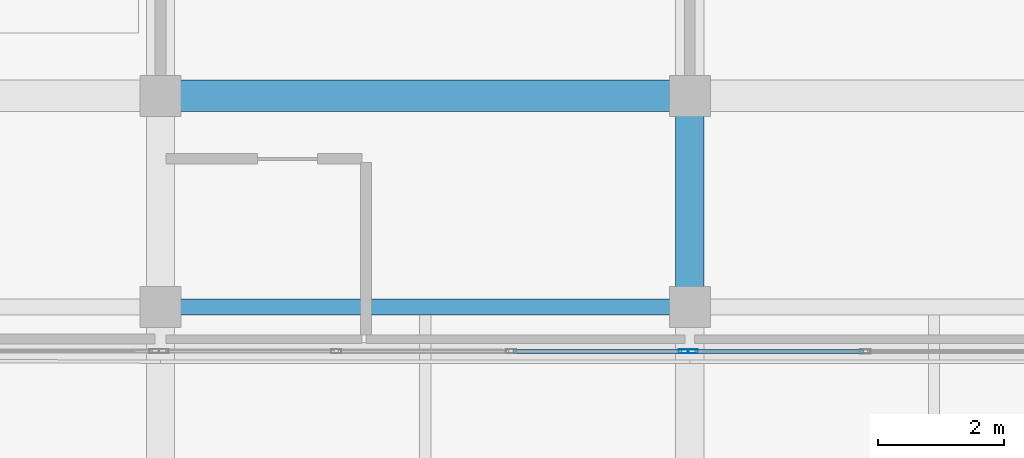
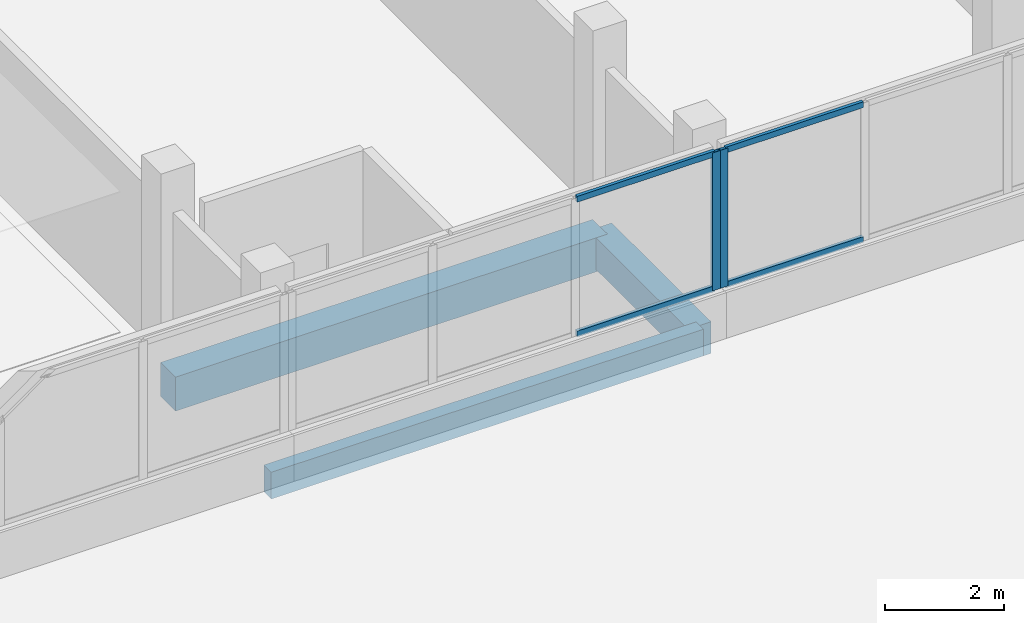
# One storey, part 21 of 78: 6 members, 3 beams, 2 elements without a shape of their own.
"""IFC4 building model written with IfcOpenShell, lengths in metres."""

from ifc_helpers import new_model, si_unit, direction, frame, origin, origin_2d, place, context, subcontext, project, spatial, rectangle, hollow_rectangle, extrude, material, material_profile, profile_set, type_object, element, aggregate, save


model = new_model("IFC4")

# Units and contexts
model_context = context("Model", 3, precision=1e-05, world=origin(), true_north=direction((0.0, 1.0)))
body_context = subcontext(model_context, "Body", "Model", "MODEL_VIEW")
ifc_project = project(units=[si_unit("LENGTHUNIT", "METRE"), si_unit("AREAUNIT", "SQUARE_METRE"), si_unit("VOLUMEUNIT", "CUBIC_METRE"), si_unit("PLANEANGLEUNIT", "RADIAN"), si_unit("MASSUNIT", "GRAM", prefix="KILO")], contexts=[model_context])

# Site, building, storey
site_placement = place(None, origin())
site = spatial("IfcSite", under=ifc_project, at=site_placement, CompositionType="ELEMENT")
building_placement = place(site_placement, origin())
building = spatial("IfcBuilding", under=site, at=building_placement, Name="Selatvlak General Hospital", CompositionType="ELEMENT")
storey_placement = place(building_placement, frame((0.0, 0.0, 23.25)))
storey = spatial("IfcBuildingStorey", under=building, at=storey_placement, Name="L05", CompositionType="ELEMENT", Elevation=23.25)

# Beams
ifc_material_1 = material(Name="Concrete C40/50", Category="concrete")
ifc_material_profile_1 = material_profile(ifc_material_1, rectangle(XDim=0.5, YDim=0.699951171875, at=origin_2d()), Name="RC-BM 500x700")
ifc_profile_set_1 = profile_set([ifc_material_profile_1], Name="Concrete C40/50")
beam_type_1 = type_object("IfcBeamType", Name="BM-G03", PredefinedType="BEAM", material=ifc_profile_set_1)
beam_1_placement = place(storey_placement, frame((132.0, 92.0, -0.6298828125), z_axis=(1.0, 0.0, 0.0), x_axis=(0.0, 1.0, 0.0)))
element("IfcBeam", 1, at=beam_1_placement, inside=storey, type_object=beam_type_1, Name="Beam BMR-L05-1915", PredefinedType="BEAM", context=body_context, shape_type="SweptSolid", body=[
    extrude(rectangle(XDim=0.5, YDim=0.699951171875, at=origin_2d()), origin(), (0.0, 0.0, 1.0), 8.39990234375),
])
ifc_material_profile_2 = material_profile(ifc_material_1, rectangle(XDim=0.449951171875, YDim=0.64990234375, at=origin_2d()), Name="RC-BM 450x650")
ifc_profile_set_2 = profile_set([ifc_material_profile_2], Name="Concrete C40/50")
beam_type_2 = type_object("IfcBeamType", Name="BM-G04", PredefinedType="BEAM", material=ifc_profile_set_2)
beam_2_placement = place(storey_placement, frame((140.39990234375, 88.64990234375, -0.60498046875), z_axis=(0.0, 1.0, 0.0), x_axis=(-1.0, 0.0, 0.0)))
element("IfcBeam", 2, at=beam_2_placement, inside=storey, type_object=beam_type_2, Name="Beam BMR-L05-2066", PredefinedType="BEAM", context=body_context, shape_type="SweptSolid", body=[
    extrude(rectangle(XDim=0.449951171875, YDim=0.64990234375, at=origin_2d()), origin(), (0.0, 0.0, 1.0), 3.35009765625),
])
ifc_material_profile_3 = material_profile(ifc_material_1, rectangle(XDim=0.25, YDim=0.550048828125, at=origin_2d()), Name="RC-SP 250x550")
ifc_profile_set_3 = profile_set([ifc_material_profile_3], Name="Concrete C40/50")
beam_type_3 = type_object("IfcBeamType", Name="BM-SP2", PredefinedType="SPANDREL", material=ifc_profile_set_3)
beam_3_placement = place(storey_placement, frame((132.0, 88.64990234375, -0.554931640625), z_axis=(1.0, 0.0, 0.0), x_axis=(0.0, 1.0, 0.0)))
element("IfcBeam", 3, at=beam_3_placement, inside=storey, type_object=beam_type_3, Name="Beam BMR-L05-1895", PredefinedType="SPANDREL", context=body_context, shape_type="SweptSolid", body=[
    extrude(rectangle(XDim=0.25, YDim=0.550048828125, at=origin_2d()), origin(), (0.0, 0.0, 1.0), 8.39990234375),
])

# Curtain wall, member
ifc_material_2 = material(Name="Solar-control Low-E double glazing", Category="glass")
curtain_wall_type_1 = type_object("IfcCurtainWallType", Name="CW-CW-01", PredefinedType="USERDEFINED", material=ifc_material_2)
curtain_wall_1_placement = place(storey_placement, origin())
curtain_wall_1 = element("IfcCurtainWall", 4, at=curtain_wall_1_placement, inside=storey, type_object=curtain_wall_type_1, Name="Glazed facade curtain wall CW-L05-0579", ObjectType="UNITISED CURTAIN WALL", PredefinedType="USERDEFINED")
ifc_material_3 = material(Name="Dark anodised aluminium mullion", Category="aluminium")
ifc_material_profile_4 = material_profile(ifc_material_3, hollow_rectangle(XDim=0.06494140625, YDim=0.159912109375, WallThickness=0.00390625, at=origin_2d()), Name="AL-MUL 65x160x4")
ifc_profile_set_4 = profile_set([ifc_material_profile_4], Name="Dark anodised aluminium mullion")
member_type_1 = type_object("IfcMemberType", Name="CWM-01", PredefinedType="MULLION", material=ifc_profile_set_4)
member_1_placement = place(storey_placement, frame((140.447509765625, 87.944091796875, 0.93994140625), z_axis=(0.0, 0.0, 1.0), x_axis=(-0.00048076918, -0.99999988443, 0.0)))
member_1 = element("IfcMember", 5, at=member_1_placement, type_object=member_type_1, Name="CW-01 mullion 4", PredefinedType="MULLION", context=body_context, shape_type="SweptSolid", body=[
    extrude(hollow_rectangle(XDim=0.06494140625, YDim=0.159912109375, WallThickness=0.00390625, at=origin_2d()), origin(), (0.0, 0.0, 1.0), 2.8349609375),
])

curtain_wall_type_2 = type_object("IfcCurtainWallType", Name="CW-CW-02", PredefinedType="USERDEFINED", material=ifc_material_2)
curtain_wall_2_placement = place(storey_placement, origin())
curtain_wall_2 = element("IfcCurtainWall", 6, at=curtain_wall_2_placement, inside=storey, type_object=curtain_wall_type_2, Name="Glazed facade curtain wall CW-L05-0580", ObjectType="UNITISED CURTAIN WALL", PredefinedType="USERDEFINED")
member_2_placement = place(storey_placement, frame((140.302490234375, 87.944091796875, 0.93994140625), z_axis=(0.0, 0.0, 1.0), x_axis=(-0.00048076918, -0.99999988443, 0.0)))
member_2 = element("IfcMember", 7, at=member_2_placement, type_object=member_type_1, Name="CW-02 mullion 1", PredefinedType="MULLION", context=body_context, shape_type="SweptSolid", body=[
    extrude(hollow_rectangle(XDim=0.06494140625, YDim=0.159912109375, WallThickness=0.00390625, at=origin_2d()), origin(), (0.0, 0.0, 1.0), 2.8349609375),
])

# Member
ifc_material_profile_5 = material_profile(ifc_material_3, hollow_rectangle(XDim=0.06494140625, YDim=0.1201171875, WallThickness=0.00390625, at=origin_2d()), Name="AL-TRN 65x120x4")
ifc_profile_set_5 = profile_set([ifc_material_profile_5], Name="Dark anodised aluminium mullion")
member_type_2 = type_object("IfcMemberType", Name="CWT-01", PredefinedType="USERDEFINED", material=ifc_profile_set_5)
member_3_placement = place(storey_placement, frame((143.15576171875, 87.942626953125, 0.972412109375), z_axis=(-0.999999895939, 0.000456204332, 0.0), x_axis=(-0.000456204332, -0.999999895939, 0.0)))
member_3 = element("IfcMember", 8, at=member_3_placement, type_object=member_type_2, Name="CW-01 transom 3.1", ObjectType="TRANSOM", PredefinedType="USERDEFINED", context=body_context, shape_type="SweptSolid", body=[
    extrude(hollow_rectangle(XDim=0.06494140625, YDim=0.1201171875, WallThickness=0.00390625, at=origin_2d()), origin(), (0.0, 0.0, 1.0), 2.67578125),
])

member_4_placement = place(storey_placement, frame((143.15576171875, 87.942626953125, 3.742431640625), z_axis=(-0.999999895939, 0.000456204332, 0.0), x_axis=(-0.000456204332, -0.999999895939, 0.0)))
member_4 = element("IfcMember", 9, at=member_4_placement, type_object=member_type_2, Name="CW-01 transom 3.2", ObjectType="TRANSOM", PredefinedType="USERDEFINED", context=body_context, shape_type="SweptSolid", body=[
    extrude(hollow_rectangle(XDim=0.06494140625, YDim=0.1201171875, WallThickness=0.00390625, at=origin_2d()), origin(), (0.0, 0.0, 1.0), 2.67578125),
])

aggregate(curtain_wall_1, [member_1, member_3, member_4])

member_5_placement = place(storey_placement, frame((140.27001953125, 87.944091796875, 0.972412109375), z_axis=(-0.999999895939, 0.000456204332, 0.0), x_axis=(-0.000456204332, -0.999999895939, 0.0)))
member_5 = element("IfcMember", 10, at=member_5_placement, type_object=member_type_2, Name="CW-02 transom 1.1", ObjectType="TRANSOM", PredefinedType="USERDEFINED", context=body_context, shape_type="SweptSolid", body=[
    extrude(hollow_rectangle(XDim=0.06494140625, YDim=0.1201171875, WallThickness=0.00390625, at=origin_2d()), origin(), (0.0, 0.0, 1.0), 2.67578125),
])

member_6_placement = place(storey_placement, frame((140.27001953125, 87.944091796875, 3.742431640625), z_axis=(-0.999999895939, 0.000456204332, 0.0), x_axis=(-0.000456204332, -0.999999895939, 0.0)))
member_6 = element("IfcMember", 11, at=member_6_placement, type_object=member_type_2, Name="CW-02 transom 1.2", ObjectType="TRANSOM", PredefinedType="USERDEFINED", context=body_context, shape_type="SweptSolid", body=[
    extrude(hollow_rectangle(XDim=0.06494140625, YDim=0.1201171875, WallThickness=0.00390625, at=origin_2d()), origin(), (0.0, 0.0, 1.0), 2.67578125),
])

aggregate(curtain_wall_2, [member_2, member_5, member_6])

save(model, "model.ifc")
